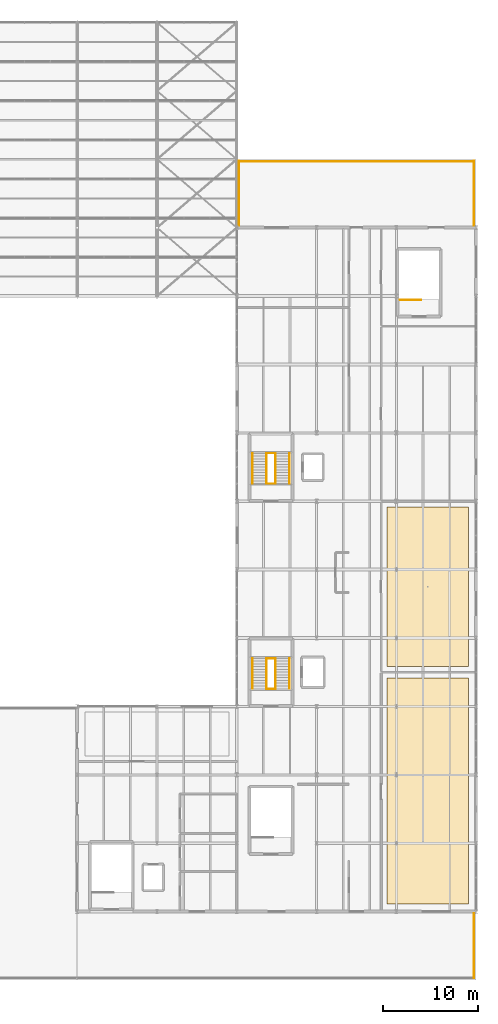
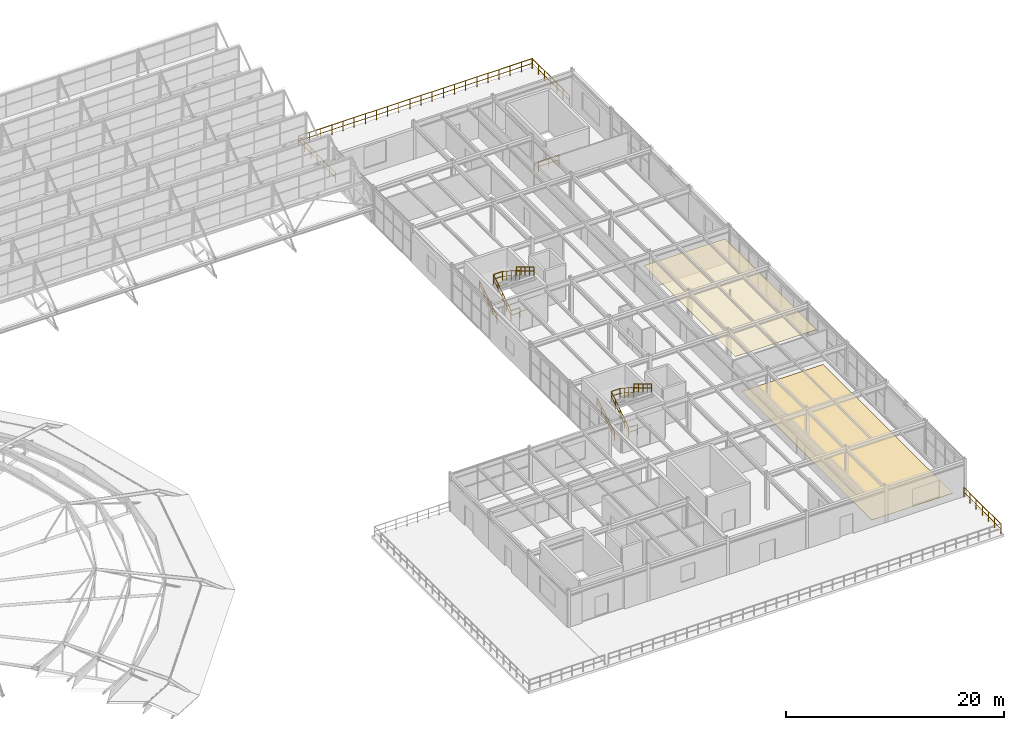
# One storey, part 134 of 134: 17 railings, 2 coverings.
"""IFC4 building model written with IfcOpenShell, lengths in metres."""

import ifcopenshell
import ifcopenshell.guid

model = None  # the IFC model being written
_history = None  # IfcOwnerHistory: only IFC2X3 demands one
_inside = {}  # id of a spatial element -> (the spatial element, [elements in it])
_under = {}  # id of a project, library or spatial element -> (it, [spatial elements below it])
_declared = {}  # id of a project -> (the project, [libraries it declares])
_typed = {}  # id of a type object -> (the type object, [elements of that type])
_made_of = {}  # id of a material, layer set ... -> (it, [elements and type objects made of it])


def new_model(schema):
    """Start an empty IFC model of exactly this schema.

    Asked for "IFC4X3", IfcOpenShell would pick the latest addendum, in which some entities
    have other attributes; the version numbers below select the first issue.
    IFC2X3 requires an IfcOwnerHistory on every rooted entity: one is made here for all.
    """
    global model, _history
    if schema == "IFC4X3":
        model = ifcopenshell.file(schema_version=(4, 3, 0, 0))
    else:
        model = ifcopenshell.file(schema=schema)
    _inside.clear()
    _under.clear()
    _declared.clear()
    _typed.clear()
    _made_of.clear()
    _history = None
    if model.schema == "IFC2X3":
        org = make("IfcOrganization", Name="unknown")
        user = make(
            "IfcPersonAndOrganization",
            ThePerson=make("IfcPerson", FamilyName="unknown"),
            TheOrganization=org,
        )
        app = make(
            "IfcApplication",
            ApplicationDeveloper=org,
            Version="unknown",
            ApplicationFullName="unknown",
            ApplicationIdentifier="unknown",
        )
        _history = make(
            "IfcOwnerHistory",
            OwningUser=user,
            OwningApplication=app,
            ChangeAction="ADDED",
            CreationDate=0,
        )
    return model


def make(cls, **values):
    """One entity of the class cls with the attributes given. An attribute that is None is left unset."""
    return model.create_entity(
        cls, **{name: value for name, value in values.items() if value is not None}
    )


def rooted(cls, **values):
    """An entity with a GlobalId (a new one), such as an element, a storey or a relation."""
    return make(cls, GlobalId=ifcopenshell.guid.new(), OwnerHistory=_history, **values)


def si_unit(unit_type, name, prefix=None):
    """IfcSIUnit, for example si_unit("LENGTHUNIT", "METRE", prefix="MILLI")."""
    return make("IfcSIUnit", UnitType=unit_type, Prefix=prefix, Name=name)


def derived_unit(unit_type, elements):
    """IfcDerivedUnit: a product of units, each with its exponent."""
    return make(
        "IfcDerivedUnit",
        Elements=[
            make("IfcDerivedUnitElement", Unit=unit, Exponent=power)
            for unit, power in elements
        ],
        UnitType=unit_type,
    )


def assignment(units):
    """IfcUnitAssignment: the units of a project."""
    return None if units is None else make("IfcUnitAssignment", Units=units)


def point(xyz):
    """IfcCartesianPoint."""
    return None if xyz is None else make("IfcCartesianPoint", Coordinates=xyz)


def direction(xyz):
    """IfcDirection."""
    return None if xyz is None else make("IfcDirection", DirectionRatios=xyz)


def frame(location, z_axis=None, x_axis=None):
    """IfcAxis2Placement3D, a coordinate frame: its origin and axes. An axis left out is left unset."""
    return make(
        "IfcAxis2Placement3D",
        Location=point(location),
        Axis=direction(z_axis),
        RefDirection=direction(x_axis),
    )


def frame_2d(location, x_axis=None):
    """IfcAxis2Placement2D, a coordinate frame in the plane: its origin and x axis."""
    return make(
        "IfcAxis2Placement2D", Location=point(location), RefDirection=direction(x_axis)
    )


def origin():
    """The frame at (0, 0, 0) with its axes left unset."""
    return frame((0.0, 0.0, 0.0))


def origin_2d():
    """The frame at (0, 0) in the plane with its x axis left unset."""
    return frame_2d((0.0, 0.0))


def place(relative_to, where):
    """IfcLocalPlacement: puts the frame where relative to a parent placement (None: the world)."""
    return make(
        "IfcLocalPlacement", PlacementRelTo=relative_to, RelativePlacement=where
    )


def context(
    kind, dimensions, precision=None, world=None, true_north=None, identifier=None
):
    """IfcGeometricRepresentationContext, for example the 3D "Model" context."""
    return make(
        "IfcGeometricRepresentationContext",
        ContextIdentifier=identifier,
        ContextType=kind,
        CoordinateSpaceDimension=dimensions,
        Precision=precision,
        WorldCoordinateSystem=world,
        TrueNorth=true_north,
    )


def subcontext(parent, identifier, kind, view, scale=None):
    """IfcGeometricRepresentationSubContext, for example "Body" below "Model"."""
    return make(
        "IfcGeometricRepresentationSubContext",
        ContextIdentifier=identifier,
        ContextType=kind,
        ParentContext=parent,
        TargetScale=scale,
        TargetView=view,
    )


def project(units=None, contexts=None):
    """IfcProject with its units and contexts."""
    return rooted(
        "IfcProject",
        Name="project",
        RepresentationContexts=contexts,
        UnitsInContext=assignment(units),
    )


def spatial(cls, under=None, at=None, **own):
    """A site, building, storey or space (cls), placed at a placement, below another one or the project."""
    s = rooted(cls, ObjectPlacement=at, **own)
    if under is not None:
        _under.setdefault(under.id(), (under, []))[1].append(s)
    return s


def polyline(points):
    """IfcPolyline through the points."""
    return make("IfcPolyline", Points=[point(p) for p in points])


def profile(cls, at=None, kind="AREA", **sizes):
    """A parametric profile (cls). Its sizes go by their IFC names, for example OverallWidth=200.0."""
    return make(cls, ProfileType=kind, Position=at, **sizes)


def circle(**sizes):
    """IfcCircleProfileDef."""
    return profile("IfcCircleProfileDef", **sizes)


def outline(outer, holes=None, kind="AREA"):
    """IfcArbitraryClosedProfileDef: a profile drawn as a closed curve; with holes, ...WithVoids."""
    if holes is None:
        return make("IfcArbitraryClosedProfileDef", ProfileType=kind, OuterCurve=outer)
    return make(
        "IfcArbitraryProfileDefWithVoids",
        ProfileType=kind,
        OuterCurve=outer,
        InnerCurves=holes,
    )


def extrude(swept, where, along, depth):
    """IfcExtrudedAreaSolid: the profile swept, set in the frame where, extruded along a direction by depth."""
    return make(
        "IfcExtrudedAreaSolid",
        SweptArea=swept,
        Position=where,
        ExtrudedDirection=direction(along),
        Depth=depth,
    )


def shape(context_of_items, identifier, shape_type, items):
    """IfcShapeRepresentation: the items that make up one representation, for example the "Body"."""
    return make(
        "IfcShapeRepresentation",
        ContextOfItems=context_of_items,
        RepresentationIdentifier=identifier,
        RepresentationType=shape_type,
        Items=items,
    )


def material(Name=None, Category=None):
    """IfcMaterial."""
    return make("IfcMaterial", Name=Name, Category=Category)


def layer(
    of_material, thickness, ventilated=None, Name=None, Category=None, Priority=None
):
    """IfcMaterialLayer: one layer of a wall or slab, of a material (None: an air gap)."""
    return make(
        "IfcMaterialLayer",
        Material=of_material,
        LayerThickness=thickness,
        IsVentilated=ventilated,
        Name=Name,
        Category=Category,
        Priority=Priority,
    )


def layer_set(layers, Name=None):
    """IfcMaterialLayerSet."""
    return make("IfcMaterialLayerSet", MaterialLayers=layers, LayerSetName=Name)


def made_of(thing, what):
    """Note that an element or type object is made of a material, layer set ...; save() writes the relation."""
    if what is not None:
        _made_of.setdefault(what.id(), (what, []))[1].append(thing)
    return thing


def type_object(cls, material=None, **own):
    """A type object (cls), such as IfcWallType, which elements share."""
    return made_of(rooted(cls, **own), material)


def element(
    cls,
    number,
    at=None,
    inside=None,
    cuts=None,
    type_object=None,
    material=None,
    context=None,
    identifier="Body",
    shape_type=None,
    held_by="IfcProductDefinitionShape",
    body=None,
    shapes=None,
    **own,
):
    """One element of the class cls, such as IfcWall. Its Tag is "e" and its number.

    at: its placement. inside: the storey or other place that contains it. cuts: it is an
    opening in that element (IfcRelVoidsElement). A single representation is given by context,
    identifier, shape_type and body (its items); several are given by shapes. held_by: the class
    of the entity that holds the representations. save() writes the other relations.
    """
    e = rooted(cls, Tag="e%d" % number, ObjectPlacement=at, **own)
    if body is not None:
        shapes = [shape(context, identifier, shape_type, body)]
    if shapes is not None:
        e.Representation = make(held_by, Representations=shapes)
    if inside is not None:
        _inside.setdefault(inside.id(), (inside, []))[1].append(e)
    if cuts is not None:
        rooted(
            "IfcRelVoidsElement", RelatingBuildingElement=cuts, RelatedOpeningElement=e
        )
    if type_object is not None:
        _typed.setdefault(type_object.id(), (type_object, []))[1].append(e)
    return made_of(e, material)


def aggregate(whole, parts):
    """IfcRelAggregates: a whole, such as a stair, and the parts it consists of."""
    return rooted("IfcRelAggregates", RelatingObject=whole, RelatedObjects=parts)


def save(model, path):
    """Write the relations noted so far, then the file.

    IfcRelAggregates (storeys below a building ...), IfcRelContainedInSpatialStructure (elements
    in a storey), IfcRelDefinesByType, IfcRelAssociatesMaterial and IfcRelDeclares: one each for
    every whole, place, type object, material and project.
    """
    for whole, parts in _under.values():
        aggregate(whole, parts)
    for where, things in _inside.values():
        rooted(
            "IfcRelContainedInSpatialStructure",
            RelatedElements=things,
            RelatingStructure=where,
        )
    for kind, things in _typed.values():
        rooted("IfcRelDefinesByType", RelatedObjects=things, RelatingType=kind)
    for what, things in _made_of.values():
        rooted("IfcRelAssociatesMaterial", RelatedObjects=things, RelatingMaterial=what)
    for by, libraries in _declared.values():
        rooted("IfcRelDeclares", RelatingContext=by, RelatedDefinitions=libraries)
    model.write(path)


model = new_model("IFC4")

# Units and contexts
model_context = context("Model", 3, precision=1e-05, world=origin(), true_north=direction((0.0, 1.0)))
body_context = subcontext(model_context, "Body", "Model", "MODEL_VIEW")
ifc_project = project(units=[si_unit("LENGTHUNIT", "METRE"), si_unit("AREAUNIT", "SQUARE_METRE"), si_unit("VOLUMEUNIT", "CUBIC_METRE"), si_unit("PLANEANGLEUNIT", "RADIAN"), si_unit("MASSUNIT", "GRAM", prefix="KILO"), derived_unit("THERMALTRANSMITTANCEUNIT", [(si_unit("MASSUNIT", "GRAM", prefix="KILO"), 1), (si_unit("TIMEUNIT", "SECOND"), -3), (si_unit("THERMODYNAMICTEMPERATUREUNIT", "KELVIN"), -1)])], contexts=[model_context])

# Site, building, storey
site_placement = place(None, origin())
site = spatial("IfcSite", under=ifc_project, at=site_placement, CompositionType="ELEMENT")
building_placement = place(site_placement, origin())
building = spatial("IfcBuilding", under=site, at=building_placement, Name="Kharveza Railside Sports Centre", CompositionType="ELEMENT")
storey_placement = place(building_placement, frame((0.0, 0.0, 12.89990234375)))
storey = spatial("IfcBuildingStorey", under=building, at=storey_placement, Name="L03", CompositionType="ELEMENT", Elevation=12.89990234375)

# Coverings
ifc_material_1 = material(Name="Acoustic mineral-fibre ceiling tile")
ifc_layer_1 = layer(ifc_material_1, 0.0400390625, Name="Acoustic mineral-fibre ceiling tile")
ifc_layer_set_1 = layer_set([ifc_layer_1], Name="Acoustic mineral-fibre ceiling tile")
covering_type_1 = type_object("IfcCoveringType", Name="CV-CL01", PredefinedType="CEILING", material=ifc_layer_set_1)
covering_1_placement = place(storey_placement, frame((0.0, 0.0, 3.150146484375)))
element("IfcCovering", 1, at=covering_1_placement, inside=storey, type_object=covering_type_1, Name="COV-CL-COMM", PredefinedType="CEILING", context=body_context, shape_type="SweptSolid", body=[
    extrude(outline(polyline([(158.60009765625, 57.0), (167.199951171875, 57.0), (167.199951171875, 40.199951171875), (158.60009765625, 40.199951171875), (158.60009765625, 57.0)])), origin(), (0.0, 0.0, 1.0), 0.0400390625),
])
ifc_material_2 = material(Name="EPDM shock-absorbing running track surfacing")
ifc_layer_2 = layer(ifc_material_2, 0.02490234375, Name="EPDM shock-absorbing running track surfacing")
ifc_layer_set_2 = layer_set([ifc_layer_2], Name="EPDM shock-absorbing running track surfacing")
covering_type_2 = type_object("IfcCoveringType", Name="CV-FL02", PredefinedType="FLOORING", material=ifc_layer_set_2)
covering_2_placement = place(storey_placement, origin())
element("IfcCovering", 2, at=covering_2_placement, inside=storey, type_object=covering_type_2, Name="COV-FL-COND", PredefinedType="FLOORING", context=body_context, shape_type="SweptSolid", body=[
    extrude(outline(polyline([(158.60009765625, 39.0), (167.199951171875, 39.0), (167.199951171875, 15.199951171875), (158.60009765625, 15.199951171875), (158.60009765625, 39.0)])), origin(), (0.0, 0.0, 1.0), 0.025146484375),
])

# Railings
ifc_material_3 = material(Name="Steel S275JR", Category="steel")
railing_type_1 = type_object("IfcRailingType", Name="RL-GD110", PredefinedType="GUARDRAIL", material=ifc_material_3)
railing_1_placement = place(storey_placement, frame((167.780029296875, 7.39990234375, 0.0)))
element("IfcRailing", 3, at=railing_1_placement, inside=storey, type_object=railing_type_1, Name="RL-TERR-L03-05", PredefinedType="GUARDRAIL", context=body_context, shape_type="SweptSolid", body=[
    extrude(circle(Radius=0.02392578125, at=origin_2d()), frame((0.0, 0.0, 1.09619140625), z_axis=(0.0, 1.0, 0.0), x_axis=(-1.0, 0.0, 0.0)), (0.0, 0.0, 1.0), 6.800048828125),
    extrude(circle(Radius=0.01611328125, at=origin_2d()), frame((0.0, 0.0, 0.56005859375), z_axis=(0.0, 1.0, 0.0), x_axis=(-1.0, 0.0, 0.0)), (0.0, 0.0, 1.0), 6.800048828125),
    extrude(circle(Radius=0.02099609375, at=origin_2d()), origin(), (0.0, 0.0, 1.0), 1.072021484375),
    extrude(circle(Radius=0.02099609375, at=origin_2d()), frame((0.0, 1.13330078125, 0.0)), (0.0, 0.0, 1.0), 1.072021484375),
    extrude(circle(Radius=0.02099609375, at=origin_2d()), frame((0.0, 2.2666015625, 0.0)), (0.0, 0.0, 1.0), 1.072021484375),
    extrude(circle(Radius=0.02099609375, at=origin_2d()), frame((0.0, 3.39990234375, 0.0)), (0.0, 0.0, 1.0), 1.072021484375),
    extrude(circle(Radius=0.02099609375, at=origin_2d()), frame((0.0, 4.533447265625, 0.0)), (0.0, 0.0, 1.0), 1.072021484375),
    extrude(circle(Radius=0.02099609375, at=origin_2d()), frame((0.0, 5.666748046875, 0.0)), (0.0, 0.0, 1.0), 1.072021484375),
    extrude(circle(Radius=0.02099609375, at=origin_2d()), frame((0.0, 6.800048828125, 0.0)), (0.0, 0.0, 1.0), 1.072021484375),
])
railing_2_placement = place(storey_placement, frame((167.780029296875, 86.60009765625, 0.0)))
element("IfcRailing", 4, at=railing_2_placement, inside=storey, type_object=railing_type_1, Name="RL-TERR-L03-06", PredefinedType="GUARDRAIL", context=body_context, shape_type="SweptSolid", body=[
    extrude(circle(Radius=0.02392578125, at=origin_2d()), frame((0.0, 0.0, 1.09619140625), z_axis=(0.0, 1.0, 0.0), x_axis=(-1.0, 0.0, 0.0)), (0.0, 0.0, 1.0), 6.7998046875),
    extrude(circle(Radius=0.01611328125, at=origin_2d()), frame((0.0, 0.0, 0.56005859375), z_axis=(0.0, 1.0, 0.0), x_axis=(-1.0, 0.0, 0.0)), (0.0, 0.0, 1.0), 6.7998046875),
    extrude(circle(Radius=0.02099609375, at=origin_2d()), origin(), (0.0, 0.0, 1.0), 1.072021484375),
    extrude(circle(Radius=0.02099609375, at=origin_2d()), frame((0.0, 1.13330078125, 0.0)), (0.0, 0.0, 1.0), 1.072021484375),
    extrude(circle(Radius=0.02099609375, at=origin_2d()), frame((0.0, 2.2666015625, 0.0)), (0.0, 0.0, 1.0), 1.072021484375),
    extrude(circle(Radius=0.02099609375, at=origin_2d()), frame((0.0, 3.39990234375, 0.0)), (0.0, 0.0, 1.0), 1.072021484375),
    extrude(circle(Radius=0.02099609375, at=origin_2d()), frame((0.0, 4.533203125, 0.0)), (0.0, 0.0, 1.0), 1.072021484375),
    extrude(circle(Radius=0.02099609375, at=origin_2d()), frame((0.0, 5.66650390625, 0.0)), (0.0, 0.0, 1.0), 1.072021484375),
    extrude(circle(Radius=0.02099609375, at=origin_2d()), frame((0.0, 6.7998046875, 0.0)), (0.0, 0.0, 1.0), 1.072021484375),
])
railing_3_placement = place(storey_placement, frame((167.800048828125, 93.3798828125, 0.0)))
element("IfcRailing", 5, at=railing_3_placement, inside=storey, type_object=railing_type_1, Name="RL-TERR-L03-07", PredefinedType="GUARDRAIL", context=body_context, shape_type="SweptSolid", body=[
    extrude(circle(Radius=0.02392578125, at=origin_2d()), frame((0.0, 0.0, 1.09619140625), z_axis=(-1.0, 0.0, 0.0), x_axis=(0.0, -1.0, 0.0)), (0.0, 0.0, 1.0), 24.800048828125),
    extrude(circle(Radius=0.01611328125, at=origin_2d()), frame((0.0, 0.0, 0.56005859375), z_axis=(-1.0, 0.0, 0.0), x_axis=(0.0, -1.0, 0.0)), (0.0, 0.0, 1.0), 24.800048828125),
    extrude(circle(Radius=0.02099609375, at=origin_2d()), origin(), (0.0, 0.0, 1.0), 1.072021484375),
    extrude(circle(Radius=0.02099609375, at=origin_2d()), frame((-1.180908203125, 0.0, 0.0)), (0.0, 0.0, 1.0), 1.072021484375),
    extrude(circle(Radius=0.02099609375, at=origin_2d()), frame((-2.36181640625, 0.0, 0.0)), (0.0, 0.0, 1.0), 1.072021484375),
    extrude(circle(Radius=0.02099609375, at=origin_2d()), frame((-3.54296875, 0.0, 0.0)), (0.0, 0.0, 1.0), 1.072021484375),
    extrude(circle(Radius=0.02099609375, at=origin_2d()), frame((-4.723876953125, 0.0, 0.0)), (0.0, 0.0, 1.0), 1.072021484375),
    extrude(circle(Radius=0.02099609375, at=origin_2d()), frame((-5.90478515625, 0.0, 0.0)), (0.0, 0.0, 1.0), 1.072021484375),
    extrude(circle(Radius=0.02099609375, at=origin_2d()), frame((-7.085693359375, 0.0, 0.0)), (0.0, 0.0, 1.0), 1.072021484375),
    extrude(circle(Radius=0.02099609375, at=origin_2d()), frame((-8.2666015625, 0.0, 0.0)), (0.0, 0.0, 1.0), 1.072021484375),
    extrude(circle(Radius=0.02099609375, at=origin_2d()), frame((-9.44775390625, 0.0, 0.0)), (0.0, 0.0, 1.0), 1.072021484375),
    extrude(circle(Radius=0.02099609375, at=origin_2d()), frame((-10.628662109375, 0.0, 0.0)), (0.0, 0.0, 1.0), 1.072021484375),
    extrude(circle(Radius=0.02099609375, at=origin_2d()), frame((-11.8095703125, 0.0, 0.0)), (0.0, 0.0, 1.0), 1.072021484375),
    extrude(circle(Radius=0.02099609375, at=origin_2d()), frame((-12.990478515625, 0.0, 0.0)), (0.0, 0.0, 1.0), 1.072021484375),
    extrude(circle(Radius=0.02099609375, at=origin_2d()), frame((-14.17138671875, 0.0, 0.0)), (0.0, 0.0, 1.0), 1.072021484375),
    extrude(circle(Radius=0.02099609375, at=origin_2d()), frame((-15.352294921875, 0.0, 0.0)), (0.0, 0.0, 1.0), 1.072021484375),
    extrude(circle(Radius=0.02099609375, at=origin_2d()), frame((-16.533447265625, 0.0, 0.0)), (0.0, 0.0, 1.0), 1.072021484375),
    extrude(circle(Radius=0.02099609375, at=origin_2d()), frame((-17.71435546875, 0.0, 0.0)), (0.0, 0.0, 1.0), 1.072021484375),
    extrude(circle(Radius=0.02099609375, at=origin_2d()), frame((-18.895263671875, 0.0, 0.0)), (0.0, 0.0, 1.0), 1.072021484375),
    extrude(circle(Radius=0.02099609375, at=origin_2d()), frame((-20.076171875, 0.0, 0.0)), (0.0, 0.0, 1.0), 1.072021484375),
    extrude(circle(Radius=0.02099609375, at=origin_2d()), frame((-21.257080078125, 0.0, 0.0)), (0.0, 0.0, 1.0), 1.072021484375),
    extrude(circle(Radius=0.02099609375, at=origin_2d()), frame((-22.438232421875, 0.0, 0.0)), (0.0, 0.0, 1.0), 1.072021484375),
    extrude(circle(Radius=0.02099609375, at=origin_2d()), frame((-23.619140625, 0.0, 0.0)), (0.0, 0.0, 1.0), 1.072021484375),
    extrude(circle(Radius=0.02099609375, at=origin_2d()), frame((-24.800048828125, 0.0, 0.0)), (0.0, 0.0, 1.0), 1.072021484375),
])
railing_4_placement = place(storey_placement, frame((143.02001953125, 93.39990234375, 0.0)))
element("IfcRailing", 6, at=railing_4_placement, inside=storey, type_object=railing_type_1, Name="RL-TERR-L03-08", PredefinedType="GUARDRAIL", context=body_context, shape_type="SweptSolid", body=[
    extrude(circle(Radius=0.02392578125, at=origin_2d()), frame((0.0, 0.0, 1.09619140625), z_axis=(0.0, -1.0, 0.0), x_axis=(1.0, 0.0, 0.0)), (0.0, 0.0, 1.0), 6.7998046875),
    extrude(circle(Radius=0.01611328125, at=origin_2d()), frame((0.0, 0.0, 0.56005859375), z_axis=(0.0, -1.0, 0.0), x_axis=(1.0, 0.0, 0.0)), (0.0, 0.0, 1.0), 6.7998046875),
    extrude(circle(Radius=0.02099609375, at=origin_2d()), origin(), (0.0, 0.0, 1.0), 1.072021484375),
    extrude(circle(Radius=0.02099609375, at=origin_2d()), frame((0.0, -1.13330078125, 0.0)), (0.0, 0.0, 1.0), 1.072021484375),
    extrude(circle(Radius=0.02099609375, at=origin_2d()), frame((0.0, -2.2666015625, 0.0)), (0.0, 0.0, 1.0), 1.072021484375),
    extrude(circle(Radius=0.02099609375, at=origin_2d()), frame((0.0, -3.39990234375, 0.0)), (0.0, 0.0, 1.0), 1.072021484375),
    extrude(circle(Radius=0.02099609375, at=origin_2d()), frame((0.0, -4.533203125, 0.0)), (0.0, 0.0, 1.0), 1.072021484375),
    extrude(circle(Radius=0.02099609375, at=origin_2d()), frame((0.0, -5.66650390625, 0.0)), (0.0, 0.0, 1.0), 1.072021484375),
    extrude(circle(Radius=0.02099609375, at=origin_2d()), frame((0.0, -6.7998046875, 0.0)), (0.0, 0.0, 1.0), 1.072021484375),
])
railing_5_placement = place(storey_placement, frame((145.929931640625, 37.840087890625, 0.0)))
element("IfcRailing", 7, at=railing_5_placement, inside=storey, type_object=railing_type_1, Name="RL-STSLOT-ST1-L03", PredefinedType="GUARDRAIL", context=body_context, shape_type="SweptSolid", body=[
    extrude(circle(Radius=0.02392578125, at=origin_2d()), frame((0.0, 0.0, 1.09619140625), z_axis=(1.0, 0.0, 0.0), x_axis=(0.0, 1.0, 0.0)), (0.0, 0.0, 1.0), 0.940185546875),
    extrude(circle(Radius=0.01611328125, at=origin_2d()), frame((0.0, 0.0, 0.56005859375), z_axis=(1.0, 0.0, 0.0), x_axis=(0.0, 1.0, 0.0)), (0.0, 0.0, 1.0), 0.940185546875),
    extrude(circle(Radius=0.02099609375, at=origin_2d()), origin(), (0.0, 0.0, 1.0), 1.072021484375),
    extrude(circle(Radius=0.02099609375, at=origin_2d()), frame((0.940185546875, 0.0, 0.0)), (0.0, 0.0, 1.0), 1.072021484375),
])
railing_6_placement = place(storey_placement, frame((145.929931640625, 37.860107421875, 0.0)))
element("IfcRailing", 8, at=railing_6_placement, inside=storey, type_object=railing_type_1, Name="STR-ST1-L03-GD1", PredefinedType="GUARDRAIL", context=body_context, shape_type="SweptSolid", body=[
    extrude(circle(Radius=0.02392578125, at=origin_2d()), frame((0.0, 0.0, 1.09619140625), z_axis=(0.0, 0.835242474824, 0.549881812983), x_axis=(-1.0, 0.0, 0.0)), (0.0, 0.0, 1.0), 3.819091796875),
    extrude(circle(Radius=0.01611328125, at=origin_2d()), frame((0.0, 0.0, 0.56005859375), z_axis=(0.0, 0.835242474824, 0.549881812983), x_axis=(-1.0, 0.0, 0.0)), (0.0, 0.0, 1.0), 3.819091796875),
    extrude(circle(Radius=0.02099609375, at=origin_2d()), origin(), (0.0, 0.0, 1.0), 1.072021484375),
    extrude(circle(Radius=0.02099609375, at=origin_2d()), frame((0.0, 0.79736328125, 0.52490234375)), (0.0, 0.0, 1.0), 1.072021484375),
    extrude(circle(Radius=0.02099609375, at=origin_2d()), frame((0.0, 1.594970703125, 1.050048828125)), (0.0, 0.0, 1.0), 1.072021484375),
    extrude(circle(Radius=0.02099609375, at=origin_2d()), frame((0.0, 2.392578125, 1.5751953125)), (0.0, 0.0, 1.0), 1.072021484375),
    extrude(circle(Radius=0.02099609375, at=origin_2d()), frame((0.0, 3.18994140625, 2.10009765625)), (0.0, 0.0, 1.0), 1.072021484375),
])
railing_7_placement = place(storey_placement, frame((146.8701171875, 41.050048828125, 2.10009765625)))
element("IfcRailing", 9, at=railing_7_placement, inside=storey, type_object=railing_type_1, Name="STR-ST1-L03-GD2", PredefinedType="GUARDRAIL", context=body_context, shape_type="SweptSolid", body=[
    extrude(circle(Radius=0.02392578125, at=origin_2d()), frame((0.0, 0.0, 1.09619140625), z_axis=(0.0, -0.835242474824, 0.549881812983), x_axis=(1.0, 0.0, 0.0)), (0.0, 0.0, 1.0), 3.819091796875),
    extrude(circle(Radius=0.01611328125, at=origin_2d()), frame((0.0, 0.0, 0.56005859375), z_axis=(0.0, -0.835242474824, 0.549881812983), x_axis=(1.0, 0.0, 0.0)), (0.0, 0.0, 1.0), 3.819091796875),
    extrude(circle(Radius=0.02099609375, at=origin_2d()), origin(), (0.0, 0.0, 1.0), 1.072021484375),
    extrude(circle(Radius=0.02099609375, at=origin_2d()), frame((0.0, -0.79736328125, 0.52490234375)), (0.0, 0.0, 1.0), 1.072021484375),
    extrude(circle(Radius=0.02099609375, at=origin_2d()), frame((0.0, -1.594970703125, 1.050048828125)), (0.0, 0.0, 1.0), 1.072021484375),
    extrude(circle(Radius=0.02099609375, at=origin_2d()), frame((0.0, -2.392578125, 1.5751953125)), (0.0, 0.0, 1.0), 1.072021484375),
    extrude(circle(Radius=0.02099609375, at=origin_2d()), frame((0.0, -3.18994140625, 2.10009765625)), (0.0, 0.0, 1.0), 1.072021484375),
])
for number, where, name in (
    (10, (145.929931640625, 41.050048828125, 2.10009765625), "STR-ST1-L03-GDH"),
    (11, (145.929931640625, 59.43994140625, 0.0), "RL-STSLOT-ST2-L03"),
):
    element("IfcRailing", number, at=place(storey_placement, frame(where)), inside=storey, type_object=railing_type_1, Name=name, PredefinedType="GUARDRAIL", context=body_context, shape_type="SweptSolid", body=[
        extrude(circle(Radius=0.02392578125, at=origin_2d()), frame((0.0, 0.0, 1.09619140625), z_axis=(1.0, 0.0, 0.0), x_axis=(0.0, 1.0, 0.0)), (0.0, 0.0, 1.0), 0.940185546875),
        extrude(circle(Radius=0.01611328125, at=origin_2d()), frame((0.0, 0.0, 0.56005859375), z_axis=(1.0, 0.0, 0.0), x_axis=(0.0, 1.0, 0.0)), (0.0, 0.0, 1.0), 0.940185546875),
        extrude(circle(Radius=0.02099609375, at=origin_2d()), origin(), (0.0, 0.0, 1.0), 1.072021484375),
        extrude(circle(Radius=0.02099609375, at=origin_2d()), frame((0.940185546875, 0.0, 0.0)), (0.0, 0.0, 1.0), 1.072021484375),
    ])
railing_8_placement = place(storey_placement, frame((145.929931640625, 59.4599609375, 0.0)))
element("IfcRailing", 12, at=railing_8_placement, inside=storey, type_object=railing_type_1, Name="STR-ST2-L03-GD1", PredefinedType="GUARDRAIL", context=body_context, shape_type="SweptSolid", body=[
    extrude(circle(Radius=0.02392578125, at=origin_2d()), frame((0.0, 0.0, 1.09619140625), z_axis=(0.0, 0.835242474824, 0.549881812983), x_axis=(-1.0, 0.0, 0.0)), (0.0, 0.0, 1.0), 3.819091796875),
    extrude(circle(Radius=0.01611328125, at=origin_2d()), frame((0.0, 0.0, 0.56005859375), z_axis=(0.0, 0.835242474824, 0.549881812983), x_axis=(-1.0, 0.0, 0.0)), (0.0, 0.0, 1.0), 3.819091796875),
    extrude(circle(Radius=0.02099609375, at=origin_2d()), origin(), (0.0, 0.0, 1.0), 1.072021484375),
    extrude(circle(Radius=0.02099609375, at=origin_2d()), frame((0.0, 0.79736328125, 0.52490234375)), (0.0, 0.0, 1.0), 1.072021484375),
    extrude(circle(Radius=0.02099609375, at=origin_2d()), frame((0.0, 1.594970703125, 1.050048828125)), (0.0, 0.0, 1.0), 1.072021484375),
    extrude(circle(Radius=0.02099609375, at=origin_2d()), frame((0.0, 2.392578125, 1.5751953125)), (0.0, 0.0, 1.0), 1.072021484375),
    extrude(circle(Radius=0.02099609375, at=origin_2d()), frame((0.0, 3.18994140625, 2.10009765625)), (0.0, 0.0, 1.0), 1.072021484375),
])
railing_9_placement = place(storey_placement, frame((146.8701171875, 62.64990234375, 2.10009765625)))
element("IfcRailing", 13, at=railing_9_placement, inside=storey, type_object=railing_type_1, Name="STR-ST2-L03-GD2", PredefinedType="GUARDRAIL", context=body_context, shape_type="SweptSolid", body=[
    extrude(circle(Radius=0.02392578125, at=origin_2d()), frame((0.0, 0.0, 1.09619140625), z_axis=(0.0, -0.835242474824, 0.549881812983), x_axis=(1.0, 0.0, 0.0)), (0.0, 0.0, 1.0), 3.819091796875),
    extrude(circle(Radius=0.01611328125, at=origin_2d()), frame((0.0, 0.0, 0.56005859375), z_axis=(0.0, -0.835242474824, 0.549881812983), x_axis=(1.0, 0.0, 0.0)), (0.0, 0.0, 1.0), 3.819091796875),
    extrude(circle(Radius=0.02099609375, at=origin_2d()), origin(), (0.0, 0.0, 1.0), 1.072021484375),
    extrude(circle(Radius=0.02099609375, at=origin_2d()), frame((0.0, -0.79736328125, 0.52490234375)), (0.0, 0.0, 1.0), 1.072021484375),
    extrude(circle(Radius=0.02099609375, at=origin_2d()), frame((0.0, -1.594970703125, 1.050048828125)), (0.0, 0.0, 1.0), 1.072021484375),
    extrude(circle(Radius=0.02099609375, at=origin_2d()), frame((0.0, -2.392578125, 1.5751953125)), (0.0, 0.0, 1.0), 1.072021484375),
    extrude(circle(Radius=0.02099609375, at=origin_2d()), frame((0.0, -3.18994140625, 2.10009765625)), (0.0, 0.0, 1.0), 1.072021484375),
])
railing_10_placement = place(storey_placement, frame((145.929931640625, 62.64990234375, 2.10009765625)))
element("IfcRailing", 14, at=railing_10_placement, inside=storey, type_object=railing_type_1, Name="STR-ST2-L03-GDH", PredefinedType="GUARDRAIL", context=body_context, shape_type="SweptSolid", body=[
    extrude(circle(Radius=0.02392578125, at=origin_2d()), frame((0.0, 0.0, 1.09619140625), z_axis=(1.0, 0.0, 0.0), x_axis=(0.0, 1.0, 0.0)), (0.0, 0.0, 1.0), 0.940185546875),
    extrude(circle(Radius=0.01611328125, at=origin_2d()), frame((0.0, 0.0, 0.56005859375), z_axis=(1.0, 0.0, 0.0), x_axis=(0.0, 1.0, 0.0)), (0.0, 0.0, 1.0), 0.940185546875),
    extrude(circle(Radius=0.02099609375, at=origin_2d()), origin(), (0.0, 0.0, 1.0), 1.072021484375),
    extrude(circle(Radius=0.02099609375, at=origin_2d()), frame((0.940185546875, 0.0, 0.0)), (0.0, 0.0, 1.0), 1.072021484375),
])
railing_11_placement = place(storey_placement, frame((160.0, 78.800048828125, 0.0)))
element("IfcRailing", 15, at=railing_11_placement, inside=storey, type_object=railing_type_1, Name="RL-STTOP-ST4-L03", PredefinedType="GUARDRAIL", context=body_context, shape_type="SweptSolid", body=[
    extrude(circle(Radius=0.02392578125, at=origin_2d()), frame((0.0, 0.0, 1.09619140625), z_axis=(1.0, 0.0, 0.0), x_axis=(0.0, 1.0, 0.0)), (0.0, 0.0, 1.0), 2.199951171875),
    extrude(circle(Radius=0.01611328125, at=origin_2d()), frame((0.0, 0.0, 0.56005859375), z_axis=(1.0, 0.0, 0.0), x_axis=(0.0, 1.0, 0.0)), (0.0, 0.0, 1.0), 2.199951171875),
    extrude(circle(Radius=0.02099609375, at=origin_2d()), origin(), (0.0, 0.0, 1.0), 1.072021484375),
    extrude(circle(Radius=0.02099609375, at=origin_2d()), frame((1.10009765625, 0.0, 0.0)), (0.0, 0.0, 1.0), 1.072021484375),
    extrude(circle(Radius=0.02099609375, at=origin_2d()), frame((2.199951171875, 0.0, 0.0)), (0.0, 0.0, 1.0), 1.072021484375),
])
railing_type_2 = type_object("IfcRailingType", Name="RL-HR092", PredefinedType="HANDRAIL", material=ifc_material_3)
railing_12_placement = place(storey_placement, frame((144.43994140625, 37.860107421875, 0.175048828125)))
element("IfcRailing", 16, at=railing_12_placement, inside=storey, type_object=railing_type_2, Name="STR-ST1-L03-HR1", PredefinedType="HANDRAIL", context=body_context, shape_type="SweptSolid", body=[
    extrude(circle(Radius=0.02392578125, at=origin_2d()), frame((0.0, 0.0, 0.89599609375), z_axis=(0.0, 0.856177665481, 0.516681531633), x_axis=(-1.0, 0.0, 0.0)), (0.0, 0.0, 1.0), 3.725830078125),
    extrude(circle(Radius=0.01611328125, at=origin_2d()), frame((0.0, 0.0, 0.4599609375), z_axis=(0.0, 0.856177665481, 0.516681531633), x_axis=(-1.0, 0.0, 0.0)), (0.0, 0.0, 1.0), 3.725830078125),
    extrude(circle(Radius=0.02099609375, at=origin_2d()), origin(), (0.0, 0.0, 1.0), 0.871826171875),
    extrude(circle(Radius=0.02099609375, at=origin_2d()), frame((0.0, 0.79736328125, 0.481201171875)), (0.0, 0.0, 1.0), 0.871826171875),
    extrude(circle(Radius=0.02099609375, at=origin_2d()), frame((0.0, 1.594970703125, 0.96240234375)), (0.0, 0.0, 1.0), 0.871826171875),
    extrude(circle(Radius=0.02099609375, at=origin_2d()), frame((0.0, 2.392578125, 1.44384765625)), (0.0, 0.0, 1.0), 0.871826171875),
    extrude(circle(Radius=0.02099609375, at=origin_2d()), frame((0.0, 3.18994140625, 1.925048828125)), (0.0, 0.0, 1.0), 0.871826171875),
])
railing_13_placement = place(storey_placement, frame((148.360107421875, 41.050048828125, 2.275146484375)))
element("IfcRailing", 17, at=railing_13_placement, inside=storey, type_object=railing_type_2, Name="STR-ST1-L03-HR2", PredefinedType="HANDRAIL", context=body_context, shape_type="SweptSolid", body=[
    extrude(circle(Radius=0.02392578125, at=origin_2d()), frame((0.0, 0.0, 0.89599609375), z_axis=(0.0, -0.856177665481, 0.516681531633), x_axis=(1.0, 0.0, 0.0)), (0.0, 0.0, 1.0), 3.725830078125),
    extrude(circle(Radius=0.01611328125, at=origin_2d()), frame((0.0, 0.0, 0.4599609375), z_axis=(0.0, -0.856177665481, 0.516681531633), x_axis=(1.0, 0.0, 0.0)), (0.0, 0.0, 1.0), 3.725830078125),
    extrude(circle(Radius=0.02099609375, at=origin_2d()), origin(), (0.0, 0.0, 1.0), 0.871826171875),
    extrude(circle(Radius=0.02099609375, at=origin_2d()), frame((0.0, -0.79736328125, 0.481201171875)), (0.0, 0.0, 1.0), 0.871826171875),
    extrude(circle(Radius=0.02099609375, at=origin_2d()), frame((0.0, -1.594970703125, 0.96240234375)), (0.0, 0.0, 1.0), 0.871826171875),
    extrude(circle(Radius=0.02099609375, at=origin_2d()), frame((0.0, -2.392578125, 1.44384765625)), (0.0, 0.0, 1.0), 0.871826171875),
    extrude(circle(Radius=0.02099609375, at=origin_2d()), frame((0.0, -3.18994140625, 1.925048828125)), (0.0, 0.0, 1.0), 0.871826171875),
])
railing_14_placement = place(storey_placement, frame((144.43994140625, 59.4599609375, 0.175048828125)))
element("IfcRailing", 18, at=railing_14_placement, inside=storey, type_object=railing_type_2, Name="STR-ST2-L03-HR1", PredefinedType="HANDRAIL", context=body_context, shape_type="SweptSolid", body=[
    extrude(circle(Radius=0.02392578125, at=origin_2d()), frame((0.0, 0.0, 0.89599609375), z_axis=(0.0, 0.856177665481, 0.516681531633), x_axis=(-1.0, 0.0, 0.0)), (0.0, 0.0, 1.0), 3.725830078125),
    extrude(circle(Radius=0.01611328125, at=origin_2d()), frame((0.0, 0.0, 0.4599609375), z_axis=(0.0, 0.856177665481, 0.516681531633), x_axis=(-1.0, 0.0, 0.0)), (0.0, 0.0, 1.0), 3.725830078125),
    extrude(circle(Radius=0.02099609375, at=origin_2d()), origin(), (0.0, 0.0, 1.0), 0.871826171875),
    extrude(circle(Radius=0.02099609375, at=origin_2d()), frame((0.0, 0.79736328125, 0.481201171875)), (0.0, 0.0, 1.0), 0.871826171875),
    extrude(circle(Radius=0.02099609375, at=origin_2d()), frame((0.0, 1.594970703125, 0.96240234375)), (0.0, 0.0, 1.0), 0.871826171875),
    extrude(circle(Radius=0.02099609375, at=origin_2d()), frame((0.0, 2.392578125, 1.44384765625)), (0.0, 0.0, 1.0), 0.871826171875),
    extrude(circle(Radius=0.02099609375, at=origin_2d()), frame((0.0, 3.18994140625, 1.925048828125)), (0.0, 0.0, 1.0), 0.871826171875),
])
railing_15_placement = place(storey_placement, frame((148.360107421875, 62.64990234375, 2.275146484375)))
element("IfcRailing", 19, at=railing_15_placement, inside=storey, type_object=railing_type_2, Name="STR-ST2-L03-HR2", PredefinedType="HANDRAIL", context=body_context, shape_type="SweptSolid", body=[
    extrude(circle(Radius=0.02392578125, at=origin_2d()), frame((0.0, 0.0, 0.89599609375), z_axis=(0.0, -0.856177665481, 0.516681531633), x_axis=(1.0, 0.0, 0.0)), (0.0, 0.0, 1.0), 3.725830078125),
    extrude(circle(Radius=0.01611328125, at=origin_2d()), frame((0.0, 0.0, 0.4599609375), z_axis=(0.0, -0.856177665481, 0.516681531633), x_axis=(1.0, 0.0, 0.0)), (0.0, 0.0, 1.0), 3.725830078125),
    extrude(circle(Radius=0.02099609375, at=origin_2d()), origin(), (0.0, 0.0, 1.0), 0.871826171875),
    extrude(circle(Radius=0.02099609375, at=origin_2d()), frame((0.0, -0.79736328125, 0.481201171875)), (0.0, 0.0, 1.0), 0.871826171875),
    extrude(circle(Radius=0.02099609375, at=origin_2d()), frame((0.0, -1.594970703125, 0.96240234375)), (0.0, 0.0, 1.0), 0.871826171875),
    extrude(circle(Radius=0.02099609375, at=origin_2d()), frame((0.0, -2.392578125, 1.44384765625)), (0.0, 0.0, 1.0), 0.871826171875),
    extrude(circle(Radius=0.02099609375, at=origin_2d()), frame((0.0, -3.18994140625, 1.925048828125)), (0.0, 0.0, 1.0), 0.871826171875),
])

save(model, "model.ifc")
